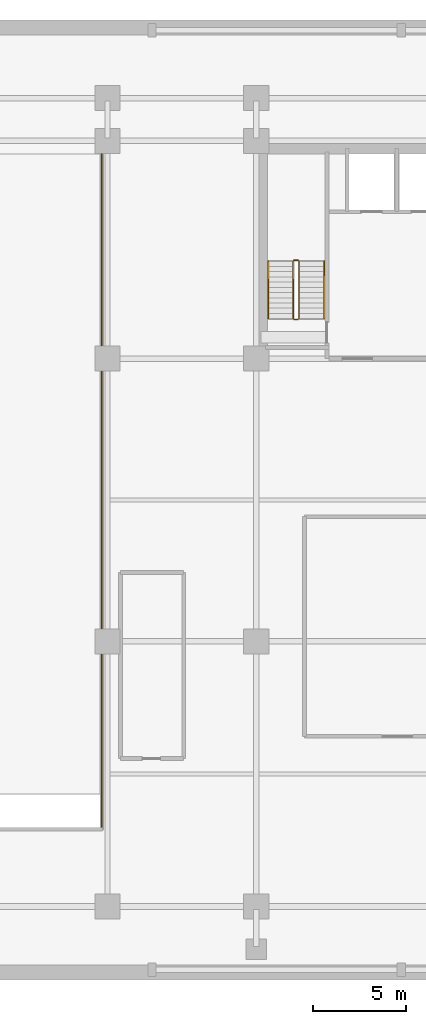
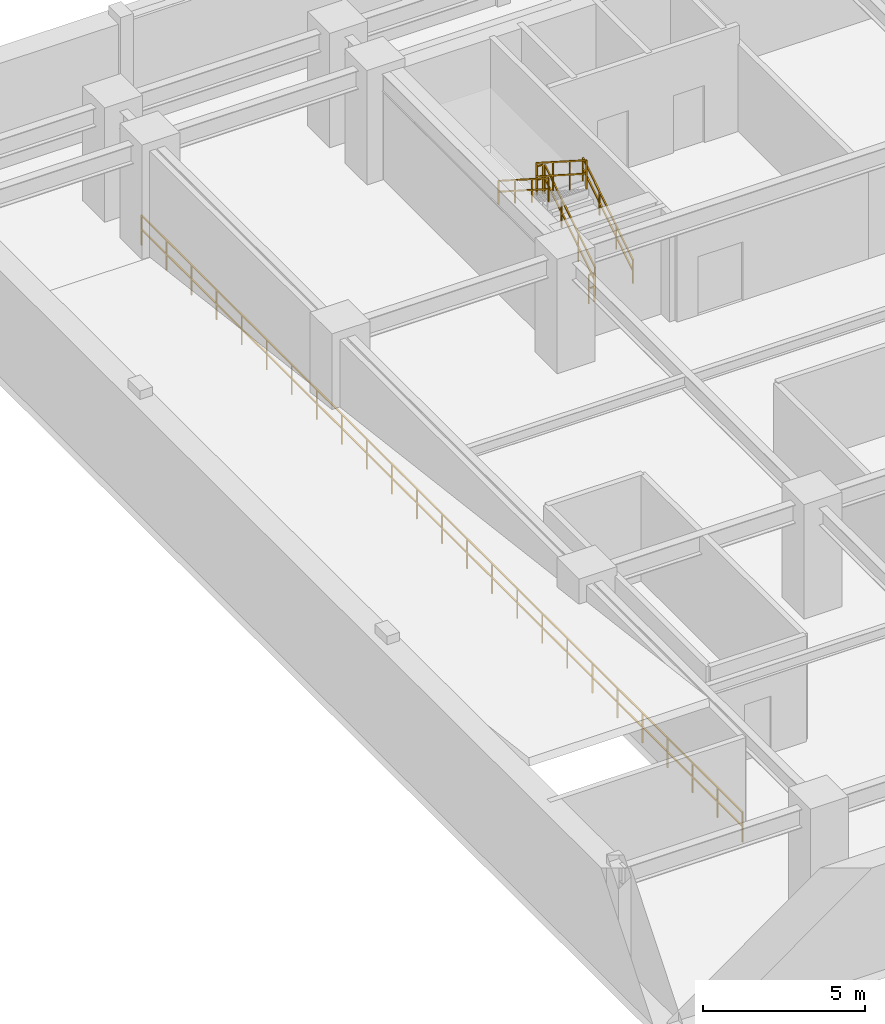
# One storey, part 7 of 8: 7 railings.
"""IFC4 building model written with IfcOpenShell, lengths in metres."""

from ifc_helpers import new_model, si_unit, direction, frame, origin, origin_2d, place, context, subcontext, project, spatial, rectangle, extrude, material, type_object, element, save


model = new_model("IFC4")

# Units and contexts
model_context = context("Model", 3, precision=1e-05, world=origin(), true_north=direction((0.0, 1.0)))
body_context = subcontext(model_context, "Body", "Model", "MODEL_VIEW")
ifc_project = project(units=[si_unit("LENGTHUNIT", "METRE"), si_unit("AREAUNIT", "SQUARE_METRE"), si_unit("VOLUMEUNIT", "CUBIC_METRE"), si_unit("PLANEANGLEUNIT", "RADIAN"), si_unit("MASSUNIT", "GRAM", prefix="KILO")], contexts=[model_context])

# Site, building, storey
site_placement = place(None, origin())
site = spatial("IfcSite", under=ifc_project, at=site_placement, CompositionType="ELEMENT")
building_placement = place(site_placement, origin())
building = spatial("IfcBuilding", under=site, at=building_placement, Name="Trelvane Seafront Commons", CompositionType="ELEMENT")
storey_placement = place(building_placement, frame((0.0, 0.0, -8.60009765625)))
storey = spatial("IfcBuildingStorey", under=building, at=storey_placement, Name="B02", CompositionType="ELEMENT", Elevation=-8.60009765625)

# Railings
ifc_material = material(Name="Stainless steel balustrade", Category="steel")
railing_type_1 = type_object("IfcRailingType", Name="ARCH-RAIL-BAL1150", PredefinedType="BALUSTRADE", material=ifc_material)
railing_1_placement = place(storey_placement, frame((7.300048828125, 8.10009765625, 0.0)))
element("IfcRailing", 1, at=railing_1_placement, inside=storey, type_object=railing_type_1, Name="RL-B02-RMP-01", PredefinedType="BALUSTRADE", context=body_context, shape_type="SweptSolid", body=[
    extrude(rectangle(XDim=0.048095703125, YDim=0.048095703125, at=origin_2d()), frame((0.0, 0.0, 1.1259765625), z_axis=(0.0, 1.0, 0.0), x_axis=(-1.0, 0.0, 0.0)), (0.0, 0.0, 1.0), 37.0),
    extrude(rectangle(XDim=0.048095703125, YDim=0.048095703125, at=origin_2d()), frame((0.0, 0.0, 0.597900390625), z_axis=(0.0, 1.0, 0.0), x_axis=(-1.0, 0.0, 0.0)), (0.0, 0.0, 1.0), 37.0),
    extrude(rectangle(XDim=0.0419921875, YDim=0.0419921875, at=origin_2d()), origin(), (0.0, 0.0, 1.0), 1.1259765625),
    extrude(rectangle(XDim=0.0419921875, YDim=0.0419921875, at=origin_2d()), frame((0.0, 1.541748046875, 0.0)), (0.0, 0.0, 1.0), 1.1259765625),
    extrude(rectangle(XDim=0.0419921875, YDim=0.0419921875, at=origin_2d()), frame((0.0, 3.083251953125, 0.0)), (0.0, 0.0, 1.0), 1.1259765625),
    extrude(rectangle(XDim=0.0419921875, YDim=0.0419921875, at=origin_2d()), frame((0.0, 4.625, 0.0)), (0.0, 0.0, 1.0), 1.1259765625),
    extrude(rectangle(XDim=0.0419921875, YDim=0.0419921875, at=origin_2d()), frame((0.0, 6.166748046875, 0.0)), (0.0, 0.0, 1.0), 1.1259765625),
    extrude(rectangle(XDim=0.0419921875, YDim=0.0419921875, at=origin_2d()), frame((0.0, 7.708251953125, 0.0)), (0.0, 0.0, 1.0), 1.1259765625),
    extrude(rectangle(XDim=0.0419921875, YDim=0.0419921875, at=origin_2d()), frame((0.0, 9.25, 0.0)), (0.0, 0.0, 1.0), 1.1259765625),
    extrude(rectangle(XDim=0.0419921875, YDim=0.0419921875, at=origin_2d()), frame((0.0, 10.791748046875, 0.0)), (0.0, 0.0, 1.0), 1.1259765625),
    extrude(rectangle(XDim=0.0419921875, YDim=0.0419921875, at=origin_2d()), frame((0.0, 12.333251953125, 0.0)), (0.0, 0.0, 1.0), 1.1259765625),
    extrude(rectangle(XDim=0.0419921875, YDim=0.0419921875, at=origin_2d()), frame((0.0, 13.875, 0.0)), (0.0, 0.0, 1.0), 1.1259765625),
    extrude(rectangle(XDim=0.0419921875, YDim=0.0419921875, at=origin_2d()), frame((0.0, 15.416748046875, 0.0)), (0.0, 0.0, 1.0), 1.1259765625),
    extrude(rectangle(XDim=0.0419921875, YDim=0.0419921875, at=origin_2d()), frame((0.0, 16.958251953125, 0.0)), (0.0, 0.0, 1.0), 1.1259765625),
    extrude(rectangle(XDim=0.0419921875, YDim=0.0419921875, at=origin_2d()), frame((0.0, 18.5, 0.0)), (0.0, 0.0, 1.0), 1.1259765625),
    extrude(rectangle(XDim=0.0419921875, YDim=0.0419921875, at=origin_2d()), frame((0.0, 20.041748046875, 0.0)), (0.0, 0.0, 1.0), 1.1259765625),
    extrude(rectangle(XDim=0.0419921875, YDim=0.0419921875, at=origin_2d()), frame((0.0, 21.583251953125, 0.0)), (0.0, 0.0, 1.0), 1.1259765625),
    extrude(rectangle(XDim=0.0419921875, YDim=0.0419921875, at=origin_2d()), frame((0.0, 23.125, 0.0)), (0.0, 0.0, 1.0), 1.1259765625),
    extrude(rectangle(XDim=0.0419921875, YDim=0.0419921875, at=origin_2d()), frame((0.0, 24.666748046875, 0.0)), (0.0, 0.0, 1.0), 1.1259765625),
    extrude(rectangle(XDim=0.0419921875, YDim=0.0419921875, at=origin_2d()), frame((0.0, 26.208251953125, 0.0)), (0.0, 0.0, 1.0), 1.1259765625),
    extrude(rectangle(XDim=0.0419921875, YDim=0.0419921875, at=origin_2d()), frame((0.0, 27.75, 0.0)), (0.0, 0.0, 1.0), 1.1259765625),
    extrude(rectangle(XDim=0.0419921875, YDim=0.0419921875, at=origin_2d()), frame((0.0, 29.291748046875, 0.0)), (0.0, 0.0, 1.0), 1.1259765625),
    extrude(rectangle(XDim=0.0419921875, YDim=0.0419921875, at=origin_2d()), frame((0.0, 30.833251953125, 0.0)), (0.0, 0.0, 1.0), 1.1259765625),
    extrude(rectangle(XDim=0.0419921875, YDim=0.0419921875, at=origin_2d()), frame((0.0, 32.375, 0.0)), (0.0, 0.0, 1.0), 1.1259765625),
    extrude(rectangle(XDim=0.0419921875, YDim=0.0419921875, at=origin_2d()), frame((0.0, 33.916748046875, 0.0)), (0.0, 0.0, 1.0), 1.1259765625),
    extrude(rectangle(XDim=0.0419921875, YDim=0.0419921875, at=origin_2d()), frame((0.0, 35.458251953125, 0.0)), (0.0, 0.0, 1.0), 1.1259765625),
    extrude(rectangle(XDim=0.0419921875, YDim=0.0419921875, at=origin_2d()), frame((0.0, 37.0, 0.0)), (0.0, 0.0, 1.0), 1.1259765625),
])
railing_type_2 = type_object("IfcRailingType", Name="ARCH-SRL-GUARD", PredefinedType="GUARDRAIL", material=ifc_material)
railing_2_placement = place(storey_placement, frame((17.89990234375, 35.550048828125, 0.17919921875)))
element("IfcRailing", 2, at=railing_2_placement, inside=storey, type_object=railing_type_2, Name="B02 ST-1 stair guard 1", PredefinedType="GUARDRAIL", context=body_context, shape_type="SweptSolid", body=[
    extrude(rectangle(XDim=0.048095703125, YDim=0.048095703125, at=origin_2d()), frame((0.0, 0.0, 1.076171875), z_axis=(0.0, 0.842289589211, 0.539025275759), x_axis=(-1.0, 0.0, 0.0)), (0.0, 0.0, 1.0), 3.656494140625),
    extrude(rectangle(XDim=0.048095703125, YDim=0.048095703125, at=origin_2d()), frame((0.0, 0.0, 0.572021484375), z_axis=(0.0, 0.842289589211, 0.539025275759), x_axis=(-1.0, 0.0, 0.0)), (0.0, 0.0, 1.0), 3.656494140625),
    extrude(rectangle(XDim=0.0419921875, YDim=0.0419921875, at=origin_2d()), origin(), (0.0, 0.0, 1.0), 1.076171875),
    extrude(rectangle(XDim=0.0419921875, YDim=0.0419921875, at=origin_2d()), frame((0.0, 1.026611328125, 0.656982421875)), (0.0, 0.0, 1.0), 1.076171875),
    extrude(rectangle(XDim=0.0419921875, YDim=0.0419921875, at=origin_2d()), frame((0.0, 2.05322265625, 1.31396484375)), (0.0, 0.0, 1.0), 1.076171875),
    extrude(rectangle(XDim=0.0419921875, YDim=0.0419921875, at=origin_2d()), frame((0.0, 3.079833984375, 1.970947265625)), (0.0, 0.0, 1.0), 1.076171875),
])
railing_3_placement = place(storey_placement, frame((17.85009765625, 38.679931640625, 2.150146484375)))
element("IfcRailing", 3, at=railing_3_placement, inside=storey, type_object=railing_type_2, Name="B02 ST-1 stair guard 2", PredefinedType="GUARDRAIL", context=body_context, shape_type="SweptSolid", body=[
    extrude(rectangle(XDim=0.048095703125, YDim=0.048095703125, at=origin_2d()), frame((0.0, 0.0, 1.076171875), z_axis=(-1.0, 0.0, 0.0), x_axis=(0.0, -1.0, 0.0)), (0.0, 0.0, 1.0), 0.2001953125),
    extrude(rectangle(XDim=0.048095703125, YDim=0.048095703125, at=origin_2d()), frame((0.0, 0.0, 0.572021484375), z_axis=(-1.0, 0.0, 0.0), x_axis=(0.0, -1.0, 0.0)), (0.0, 0.0, 1.0), 0.2001953125),
    extrude(rectangle(XDim=0.0419921875, YDim=0.0419921875, at=origin_2d()), origin(), (0.0, 0.0, 1.0), 1.076171875),
    extrude(rectangle(XDim=0.0419921875, YDim=0.0419921875, at=origin_2d()), frame((-0.2001953125, 0.0, 0.0)), (0.0, 0.0, 1.0), 1.076171875),
])
railing_4_placement = place(storey_placement, frame((17.60009765625, 38.6298828125, 2.329345703125)))
element("IfcRailing", 4, at=railing_4_placement, inside=storey, type_object=railing_type_2, Name="B02 ST-1 stair guard 3", PredefinedType="GUARDRAIL", context=body_context, shape_type="SweptSolid", body=[
    extrude(rectangle(XDim=0.048095703125, YDim=0.048095703125, at=origin_2d()), frame((0.0, 0.0, 1.076171875), z_axis=(0.0, -0.842319903074, 0.538977903893), x_axis=(1.0, 0.0, 0.0)), (0.0, 0.0, 1.0), 3.65625),
    extrude(rectangle(XDim=0.048095703125, YDim=0.048095703125, at=origin_2d()), frame((0.0, 0.0, 0.572021484375), z_axis=(0.0, -0.842319903074, 0.538977903893), x_axis=(1.0, 0.0, 0.0)), (0.0, 0.0, 1.0), 3.65625),
    extrude(rectangle(XDim=0.0419921875, YDim=0.0419921875, at=origin_2d()), origin(), (0.0, 0.0, 1.0), 1.076171875),
    extrude(rectangle(XDim=0.0419921875, YDim=0.0419921875, at=origin_2d()), frame((0.0, -1.026611328125, 0.656982421875)), (0.0, 0.0, 1.0), 1.076171875),
    extrude(rectangle(XDim=0.0419921875, YDim=0.0419921875, at=origin_2d()), frame((0.0, -2.05322265625, 1.313720703125)), (0.0, 0.0, 1.0), 1.076171875),
    extrude(rectangle(XDim=0.0419921875, YDim=0.0419921875, at=origin_2d()), frame((0.0, -3.079833984375, 1.970703125)), (0.0, 0.0, 1.0), 1.076171875),
])
railing_5_placement = place(storey_placement, frame((17.85009765625, 35.5, 0.0)))
element("IfcRailing", 5, at=railing_5_placement, inside=storey, type_object=railing_type_2, Name="B02 ST-1 stair guard 4", PredefinedType="GUARDRAIL", context=body_context, shape_type="SweptSolid", body=[
    extrude(rectangle(XDim=0.048095703125, YDim=0.048095703125, at=origin_2d()), frame((0.0, 0.0, 1.076171875), z_axis=(-1.0, 0.0, 0.0), x_axis=(0.0, -1.0, 0.0)), (0.0, 0.0, 1.0), 0.2001953125),
    extrude(rectangle(XDim=0.048095703125, YDim=0.048095703125, at=origin_2d()), frame((0.0, 0.0, 0.572021484375), z_axis=(-1.0, 0.0, 0.0), x_axis=(0.0, -1.0, 0.0)), (0.0, 0.0, 1.0), 0.2001953125),
    extrude(rectangle(XDim=0.0419921875, YDim=0.0419921875, at=origin_2d()), origin(), (0.0, 0.0, 1.0), 1.076171875),
    extrude(rectangle(XDim=0.0419921875, YDim=0.0419921875, at=origin_2d()), frame((-0.2001953125, 0.0, 0.0)), (0.0, 0.0, 1.0), 1.076171875),
])
railing_type_3 = type_object("IfcRailingType", Name="ARCH-SRL-HAND", PredefinedType="HANDRAIL", material=ifc_material)
railing_6_placement = place(storey_placement, frame((19.25, 35.550048828125, 0.17919921875)))
element("IfcRailing", 6, at=railing_6_placement, inside=storey, type_object=railing_type_3, Name="B02 ST-1 stair handrail 1", PredefinedType="HANDRAIL", context=body_context, shape_type="SweptSolid", body=[
    extrude(rectangle(XDim=0.048095703125, YDim=0.048095703125, at=origin_2d()), frame((0.0, 0.0, 0.8759765625), z_axis=(0.0, 0.842289589211, 0.539025275759), x_axis=(-1.0, 0.0, 0.0)), (0.0, 0.0, 1.0), 3.656494140625),
    extrude(rectangle(XDim=0.048095703125, YDim=0.048095703125, at=origin_2d()), frame((0.0, 0.0, 0.468017578125), z_axis=(0.0, 0.842289589211, 0.539025275759), x_axis=(-1.0, 0.0, 0.0)), (0.0, 0.0, 1.0), 3.656494140625),
    extrude(rectangle(XDim=0.0419921875, YDim=0.0419921875, at=origin_2d()), origin(), (0.0, 0.0, 1.0), 0.8759765625),
    extrude(rectangle(XDim=0.0419921875, YDim=0.0419921875, at=origin_2d()), frame((0.0, 1.026611328125, 0.656982421875)), (0.0, 0.0, 1.0), 0.8759765625),
    extrude(rectangle(XDim=0.0419921875, YDim=0.0419921875, at=origin_2d()), frame((0.0, 2.05322265625, 1.31396484375)), (0.0, 0.0, 1.0), 0.8759765625),
    extrude(rectangle(XDim=0.0419921875, YDim=0.0419921875, at=origin_2d()), frame((0.0, 3.079833984375, 1.970947265625)), (0.0, 0.0, 1.0), 0.8759765625),
])
railing_7_placement = place(storey_placement, frame((16.25, 38.6298828125, 2.329345703125)))
element("IfcRailing", 7, at=railing_7_placement, inside=storey, type_object=railing_type_3, Name="B02 ST-1 stair handrail 2", PredefinedType="HANDRAIL", context=body_context, shape_type="SweptSolid", body=[
    extrude(rectangle(XDim=0.048095703125, YDim=0.048095703125, at=origin_2d()), frame((0.0, 0.0, 0.8759765625), z_axis=(0.0, -0.842319903074, 0.538977903893), x_axis=(1.0, 0.0, 0.0)), (0.0, 0.0, 1.0), 3.65625),
    extrude(rectangle(XDim=0.048095703125, YDim=0.048095703125, at=origin_2d()), frame((0.0, 0.0, 0.468017578125), z_axis=(0.0, -0.842319903074, 0.538977903893), x_axis=(1.0, 0.0, 0.0)), (0.0, 0.0, 1.0), 3.65625),
    extrude(rectangle(XDim=0.0419921875, YDim=0.0419921875, at=origin_2d()), origin(), (0.0, 0.0, 1.0), 0.8759765625),
    extrude(rectangle(XDim=0.0419921875, YDim=0.0419921875, at=origin_2d()), frame((0.0, -1.026611328125, 0.656982421875)), (0.0, 0.0, 1.0), 0.8759765625),
    extrude(rectangle(XDim=0.0419921875, YDim=0.0419921875, at=origin_2d()), frame((0.0, -2.05322265625, 1.313720703125)), (0.0, 0.0, 1.0), 0.8759765625),
    extrude(rectangle(XDim=0.0419921875, YDim=0.0419921875, at=origin_2d()), frame((0.0, -3.079833984375, 1.970703125)), (0.0, 0.0, 1.0), 0.8759765625),
])

save(model, "model.ifc")
